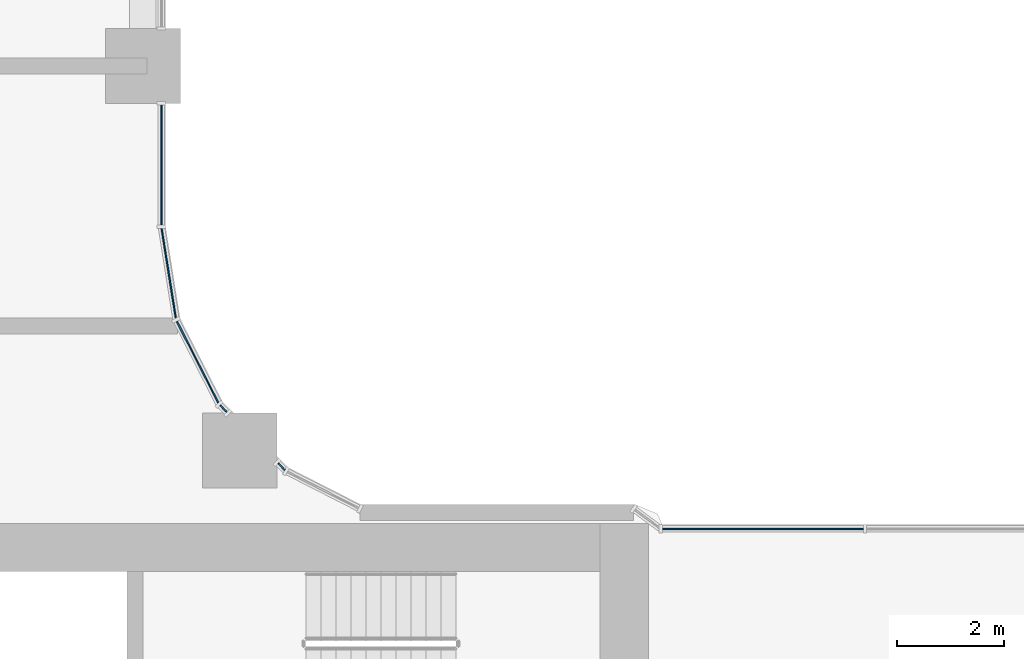
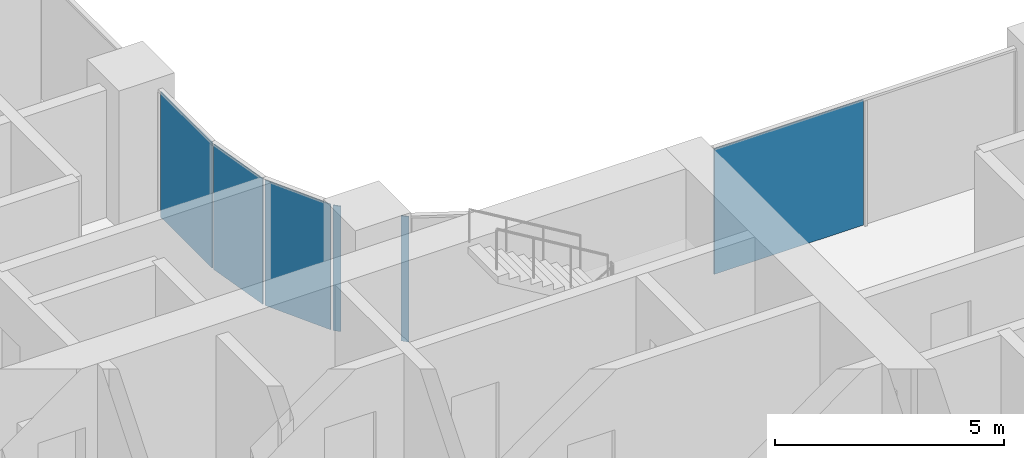
# One storey, part 12 of 31: 6 plates, 4 elements without a shape of their own.
"""IFC4 building model written with IfcOpenShell, lengths in metres."""

from ifc_helpers import new_model, si_unit, direction, frame, origin, origin_2d, place, context, subcontext, project, spatial, rectangle, extrude, material, layer, layer_set, type_object, element, aggregate, save


model = new_model("IFC4")

# Units and contexts
model_context = context("Model", 3, precision=1e-05, world=origin(), true_north=direction((0.0, 1.0)))
body_context = subcontext(model_context, "Body", "Model", "MODEL_VIEW")
ifc_project = project(units=[si_unit("LENGTHUNIT", "METRE"), si_unit("AREAUNIT", "SQUARE_METRE"), si_unit("VOLUMEUNIT", "CUBIC_METRE"), si_unit("PLANEANGLEUNIT", "RADIAN"), si_unit("MASSUNIT", "GRAM", prefix="KILO")], contexts=[model_context])

# Site, building, storey
site_placement = place(None, origin())
site = spatial("IfcSite", under=ifc_project, at=site_placement, CompositionType="ELEMENT")
building_placement = place(site_placement, origin())
building = spatial("IfcBuilding", under=site, at=building_placement, Name="Ogive Portal Towers", CompositionType="ELEMENT")
storey_placement = place(building_placement, frame((0.0, 0.0, 40.89990234375)))
storey = spatial("IfcBuildingStorey", under=building, at=storey_placement, Name="L08", CompositionType="ELEMENT", Elevation=40.89990234375)

# Curtain wall, plate
ifc_material = material(Name="Glass, clear low-iron insulated glazing", Category="glass")
curtain_wall_type = type_object("IfcCurtainWallType", Name="CW FRONT RIBBON 4500", PredefinedType="NOTDEFINED", material=ifc_material)
curtain_wall_1_placement = place(storey_placement, origin())
curtain_wall_1 = element("IfcCurtainWall", 1, at=curtain_wall_1_placement, inside=storey, type_object=curtain_wall_type, Name="A:L08:f06:cw0~0", PredefinedType="NOTDEFINED")
ifc_layer = layer(ifc_material, 0.028076171875)
ifc_layer_set = layer_set([ifc_layer], Name="CW PANEL IGU 28")
plate_type = type_object("IfcPlateType", Name="CW PANEL IGU 28", PredefinedType="CURTAIN_PANEL", material=ifc_layer_set)
plate_1_placement = place(storey_placement, frame((49.844970703125, 46.64697265625, 0.0), z_axis=(0.0, 0.0, 1.0), x_axis=(0.0, 1.0, 0.0)))
plate_1 = element("IfcPlate", 2, at=plate_1_placement, type_object=plate_type, Name="panel", PredefinedType="CURTAIN_PANEL", context=body_context, shape_type="SweptSolid", body=[
    extrude(rectangle(XDim=2.246337890625, YDim=0.028076171875, at=origin_2d()), origin(), (0.0, 0.0, 1.0), 3.340087890625),
])
aggregate(curtain_wall_1, [plate_1])

curtain_wall_2_placement = place(storey_placement, origin())
curtain_wall_2 = element("IfcCurtainWall", 3, at=curtain_wall_2_placement, inside=storey, type_object=curtain_wall_type, Name="A:L08:f27:cw0~3", PredefinedType="NOTDEFINED")
plate_2_placement = place(storey_placement, frame((61.09033203125, 39.844970703125, 0.0), z_axis=(0.0, 0.0, 1.0), x_axis=(-1.0, 0.0, 0.0)))
plate_2 = element("IfcPlate", 4, at=plate_2_placement, type_object=plate_type, Name="panel", PredefinedType="CURTAIN_PANEL", context=body_context, shape_type="SweptSolid", body=[
    extrude(rectangle(XDim=3.759521484375, YDim=0.028076171875, at=origin_2d()), origin(), (0.0, 0.0, 1.0), 3.340087890625),
])
aggregate(curtain_wall_2, [plate_2])

curtain_wall_3_placement = place(storey_placement, origin())
curtain_wall_3 = element("IfcCurtainWall", 5, at=curtain_wall_3_placement, inside=storey, type_object=curtain_wall_type, Name="A:L08:f02:cwa~0", PredefinedType="NOTDEFINED")
plate_3_placement = place(storey_placement, frame((52.0927734375, 41.0068359375, 0.0), z_axis=(0.0, 0.0, 1.0), x_axis=(-0.707106781187, 0.707106781187, 0.0)))
plate_3 = element("IfcPlate", 6, at=plate_3_placement, type_object=plate_type, Name="panel", PredefinedType="CURTAIN_PANEL", context=body_context, shape_type="SweptSolid", body=[
    extrude(rectangle(XDim=0.174072265625, YDim=0.028076171875, at=origin_2d()), origin(), (0.0, 0.0, 1.0), 3.340087890625),
])
aggregate(curtain_wall_3, [plate_3])

# Curtain wall, plates
curtain_wall_4_placement = place(storey_placement, origin())
curtain_wall_4 = element("IfcCurtainWall", 7, at=curtain_wall_4_placement, inside=storey, type_object=curtain_wall_type, Name="A:L08:f02:cwa~1", PredefinedType="NOTDEFINED")
plate_4_placement = place(storey_placement, frame((51.0068359375, 42.0927734375, 0.0), z_axis=(0.0, 0.0, 1.0), x_axis=(-0.707106781187, 0.707106781187, 0.0)))
plate_4 = element("IfcPlate", 8, at=plate_4_placement, type_object=plate_type, Name="panel", PredefinedType="CURTAIN_PANEL", context=body_context, shape_type="SweptSolid", body=[
    extrude(rectangle(XDim=0.174072265625, YDim=0.028076171875, at=origin_2d()), origin(), (0.0, 0.0, 1.0), 3.340087890625),
])
plate_5_placement = place(storey_placement, frame((50.5224609375, 42.9638671875, 0.0), z_axis=(0.0, 0.0, 1.0), x_axis=(-0.45399049974, 0.891006524188, 0.0)))
plate_5 = element("IfcPlate", 9, at=plate_5_placement, type_object=plate_type, Name="panel", PredefinedType="CURTAIN_PANEL", context=body_context, shape_type="SweptSolid", body=[
    extrude(rectangle(XDim=1.70947265625, YDim=0.028076171875, at=origin_2d()), origin(), (0.0, 0.0, 1.0), 3.340087890625),
])
plate_6_placement = place(storey_placement, frame((49.98291015625, 44.623046875, 0.0), z_axis=(0.0, 0.0, 1.0), x_axis=(-0.15643446504, 0.987688340595, 0.0)))
plate_6 = element("IfcPlate", 10, at=plate_6_placement, type_object=plate_type, Name="panel", PredefinedType="CURTAIN_PANEL", context=body_context, shape_type="SweptSolid", body=[
    extrude(rectangle(XDim=1.703125, YDim=0.028076171875, at=origin_2d()), origin(), (0.0, 0.0, 1.0), 3.340087890625),
])
aggregate(curtain_wall_4, [plate_4, plate_5, plate_6])

save(model, "model.ifc")
